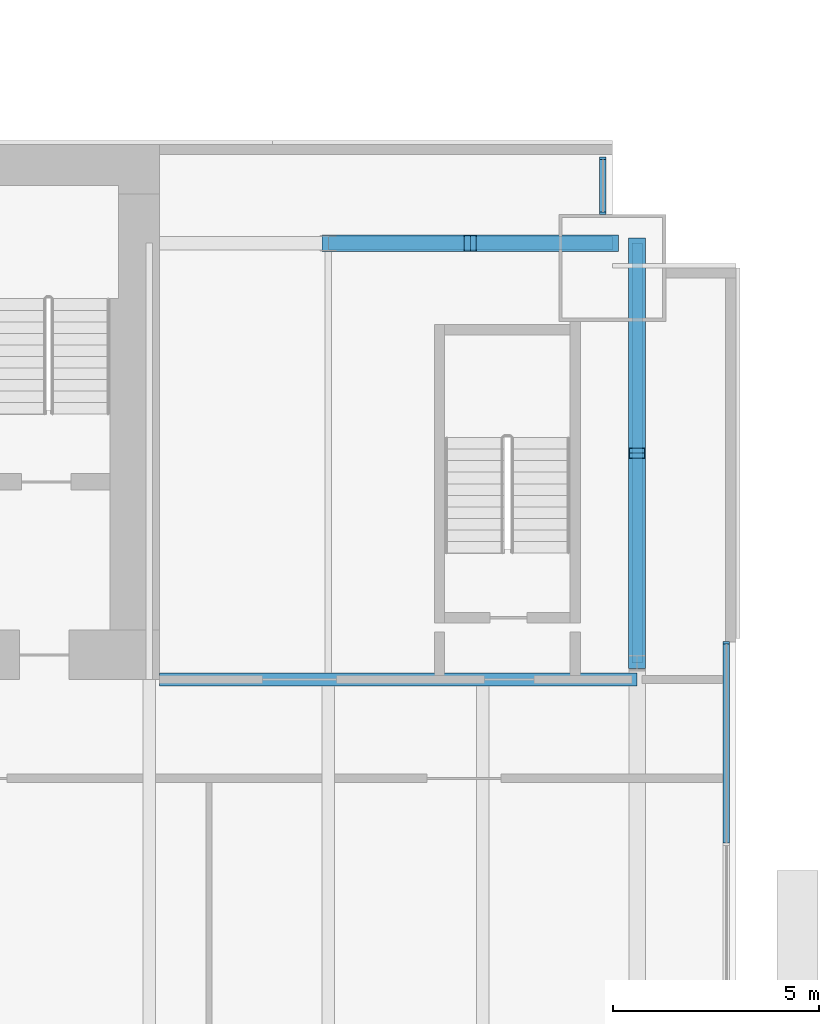
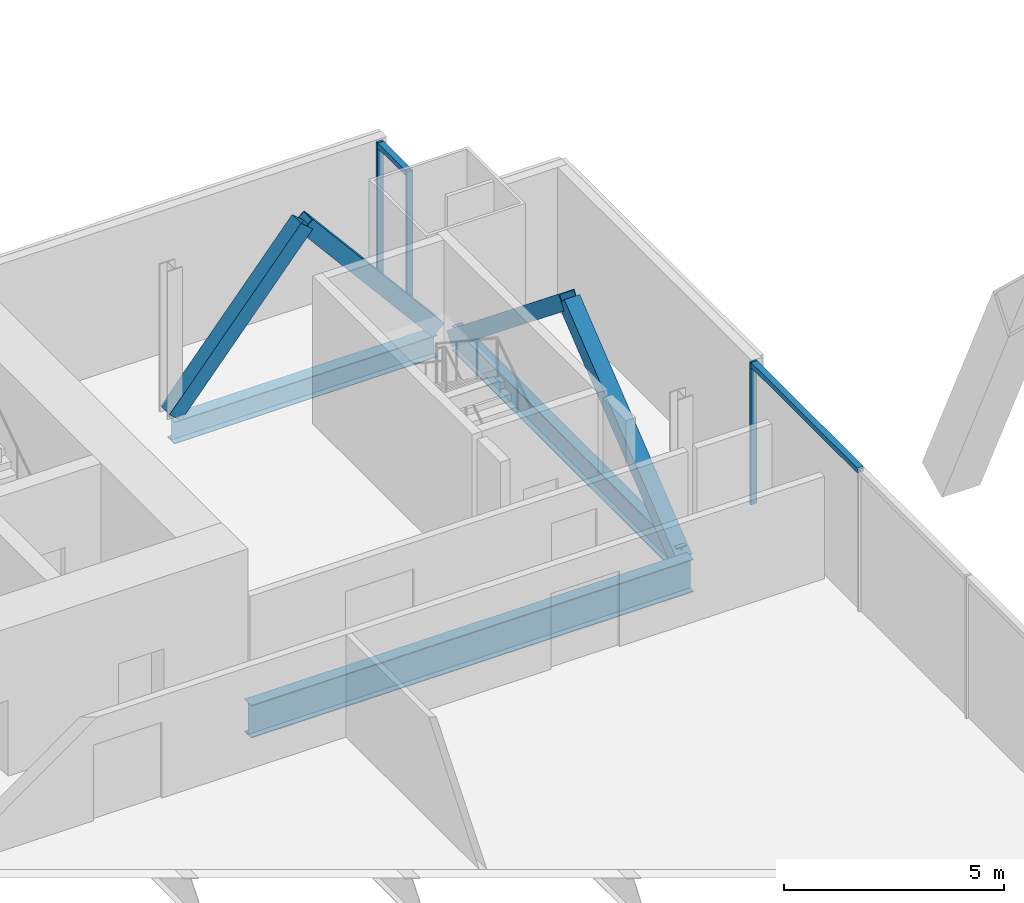
# One storey, part 16 of 24: 9 members, 3 beams, 2 elements without a shape of their own.
"""IFC4 building model written with IfcOpenShell, lengths in metres."""

from ifc_helpers import new_model, si_unit, direction, frame, origin, origin_2d, place, context, subcontext, project, spatial, rectangle, hollow_rectangle, i_section, extrude, material, material_profile, profile_set, type_object, element, aggregate, save


model = new_model("IFC4")

# Units and contexts
model_context = context("Model", 3, precision=1e-05, world=origin(), true_north=direction((0.0, 1.0)))
body_context = subcontext(model_context, "Body", "Model", "MODEL_VIEW")
ifc_project = project(units=[si_unit("LENGTHUNIT", "METRE"), si_unit("AREAUNIT", "SQUARE_METRE"), si_unit("VOLUMEUNIT", "CUBIC_METRE"), si_unit("PLANEANGLEUNIT", "RADIAN"), si_unit("MASSUNIT", "GRAM", prefix="KILO")], contexts=[model_context])

# Site, building, storey
site_placement = place(None, origin())
site = spatial("IfcSite", under=ifc_project, at=site_placement, CompositionType="ELEMENT")
building_placement = place(site_placement, origin())
building = spatial("IfcBuilding", under=site, at=building_placement, Name="Bicima Exchange Tower", CompositionType="ELEMENT")
storey_placement = place(building_placement, frame((0.0, 0.0, 160.89990234375)))
storey = spatial("IfcBuildingStorey", under=building, at=storey_placement, Name="L35", CompositionType="ELEMENT", Elevation=160.89990234375)

# Beam
ifc_material_1 = material(Name="Steel ASTM A992 Gr 50", Category="steel")
ifc_material_profile_1 = material_profile(ifc_material_1, i_section(OverallWidth=0.3046875, OverallDepth=0.911865234375, WebThickness=0.015869140625, FlangeThickness=0.02392578125, at=origin_2d()))
ifc_profile_set_1 = profile_set([ifc_material_profile_1], Name="Steel ASTM A992 Gr 50")
beam_type_1 = type_object("IfcBeamType", Name="Core-line girder W36x150", PredefinedType="BEAM", material=ifc_profile_set_1)
beam_1_placement = place(storey_placement, frame((22.0, -13.0, -0.605712890625), z_axis=(1.0, 0.0, 0.0), x_axis=(0.0, 1.0, 0.0)))
element("IfcBeam", 1, at=beam_1_placement, inside=storey, type_object=beam_type_1, Name="Core-line girder", PredefinedType="BEAM", context=body_context, shape_type="SweptSolid", body=[
    extrude(i_section(OverallWidth=0.3046875, OverallDepth=0.911865234375, WebThickness=0.015869140625, FlangeThickness=0.02392578125, at=origin_2d()), origin(), (0.0, 0.0, 1.0), 11.60009765625),
])

# Curtain wall, members
ifc_material_2 = material(Name="Anodised bronze aluminium", Category="aluminium")
curtain_wall_type_1 = type_object("IfcCurtainWallType", Name="End face glass wall", PredefinedType="NOTDEFINED", material=ifc_material_2)
curtain_wall_1_placement = place(storey_placement, origin())
curtain_wall_1 = element("IfcCurtainWall", 2, at=curtain_wall_1_placement, inside=storey, type_object=curtain_wall_type_1, Name="End face glass wall L35 run 19", PredefinedType="NOTDEFINED")
ifc_material_profile_2 = material_profile(ifc_material_2, rectangle(XDim=0.159912109375, YDim=0.06005859375, at=origin_2d()))
ifc_profile_set_2 = profile_set([ifc_material_profile_2], Name="Anodised bronze aluminium")
member_type_1 = type_object("IfcMemberType", Name="End face glass wall mullion 60 x 160", PredefinedType="MULLION", material=ifc_profile_set_2)
member_1_placement = place(storey_placement, frame((35.77001953125, -12.110107421875, 0.0), z_axis=(0.0, 0.0, 1.0), x_axis=(-1.0, 0.0, 0.0)))
member_1 = element("IfcMember", 3, at=member_1_placement, type_object=member_type_1, Name="End face glass wall mullion 5", PredefinedType="MULLION", context=body_context, shape_type="SweptSolid", body=[
    extrude(rectangle(XDim=0.159912109375, YDim=0.06005859375, at=origin_2d()), origin(), (0.0, 0.0, 1.0), 3.9501953125),
])
ifc_material_profile_3 = material_profile(ifc_material_2, rectangle(XDim=0.159912109375, YDim=0.139892578125, at=origin_2d()))
ifc_profile_set_3 = profile_set([ifc_material_profile_3], Name="Anodised bronze aluminium")
member_type_2 = type_object("IfcMemberType", Name="End face glass wall transom 140 x 160", PredefinedType="USERDEFINED", material=ifc_profile_set_3)
member_2_placement = place(storey_placement, frame((35.77001953125, -16.968505859375, 3.880126953125), z_axis=(0.0, 1.0, 0.0), x_axis=(-1.0, 0.0, 0.0)))
member_2 = element("IfcMember", 4, at=member_2_placement, type_object=member_type_2, Name="End face glass wall transom 4.1", ObjectType="TRANSOM", PredefinedType="USERDEFINED", context=body_context, shape_type="SweptSolid", body=[
    extrude(rectangle(XDim=0.159912109375, YDim=0.139892578125, at=origin_2d()), origin(), (0.0, 0.0, 1.0), 4.82861328125),
])
aggregate(curtain_wall_1, [member_1, member_2])

# Beam
ifc_material_profile_4 = material_profile(ifc_material_1, i_section(OverallWidth=0.256591796875, OverallDepth=0.693359375, WebThickness=0.014404296875, FlangeThickness=0.023681640625, at=origin_2d()))
ifc_profile_set_4 = profile_set([ifc_material_profile_4], Name="Steel ASTM A992 Gr 50")
beam_type_2 = type_object("IfcBeamType", Name="End girder W27x114", PredefinedType="BEAM", material=ifc_profile_set_4)
beam_2_placement = place(storey_placement, frame((33.60009765625, -2.39990234375, -0.49658203125), z_axis=(0.0, -1.0, 0.0), x_axis=(1.0, 0.0, 0.0)))
element("IfcBeam", 5, at=beam_2_placement, inside=storey, type_object=beam_type_2, Name="End girder", PredefinedType="BEAM", context=body_context, shape_type="SweptSolid", body=[
    extrude(i_section(OverallWidth=0.256591796875, OverallDepth=0.693359375, WebThickness=0.014404296875, FlangeThickness=0.023681640625, at=origin_2d()), origin(), (0.0, 0.0, 1.0), 10.2001953125),
])

# Curtain wall, members
curtain_wall_type_2 = type_object("IfcCurtainWallType", Name="Front glass wall", PredefinedType="NOTDEFINED", material=ifc_material_2)
curtain_wall_2_placement = place(storey_placement, origin())
curtain_wall_2 = element("IfcCurtainWall", 6, at=curtain_wall_2_placement, inside=storey, type_object=curtain_wall_type_2, Name="Front glass wall L35 run 20", PredefinedType="NOTDEFINED")
member_type_3 = type_object("IfcMemberType", Name="Front glass wall mullion 60 x 160", PredefinedType="MULLION", material=ifc_profile_set_2)
member_3_placement = place(storey_placement, frame((32.77001953125, -1.669921875, 0.0), z_axis=(0.0, 0.0, 1.0), x_axis=(-1.0, 0.0, 0.0)))
member_3 = element("IfcMember", 7, at=member_3_placement, type_object=member_type_3, Name="Front glass wall mullion 1", PredefinedType="MULLION", context=body_context, shape_type="SweptSolid", body=[
    extrude(rectangle(XDim=0.159912109375, YDim=0.06005859375, at=origin_2d()), origin(), (0.0, 0.0, 1.0), 3.9501953125),
])
member_4_placement = place(storey_placement, frame((32.77001953125, -0.340087890625, 0.0), z_axis=(0.0, 0.0, 1.0), x_axis=(-1.0, 0.0, 0.0)))
member_4 = element("IfcMember", 8, at=member_4_placement, type_object=member_type_3, Name="Front glass wall mullion 2", PredefinedType="MULLION", context=body_context, shape_type="SweptSolid", body=[
    extrude(rectangle(XDim=0.159912109375, YDim=0.06005859375, at=origin_2d()), origin(), (0.0, 0.0, 1.0), 3.9501953125),
])
member_type_4 = type_object("IfcMemberType", Name="Front glass wall transom 140 x 160", PredefinedType="USERDEFINED", material=ifc_profile_set_3)
member_5_placement = place(storey_placement, frame((32.77001953125, -1.639892578125, 3.880126953125), z_axis=(0.0, 1.0, 0.0), x_axis=(-1.0, 0.0, 0.0)))
member_5 = element("IfcMember", 9, at=member_5_placement, type_object=member_type_4, Name="Front glass wall transom 1.1", ObjectType="TRANSOM", PredefinedType="USERDEFINED", context=body_context, shape_type="SweptSolid", body=[
    extrude(rectangle(XDim=0.159912109375, YDim=0.139892578125, at=origin_2d()), origin(), (0.0, 0.0, 1.0), 1.269775390625),
])
aggregate(curtain_wall_2, [member_3, member_4, member_5])

# Members
ifc_material_3 = material(Name="Steel ASTM A572 Gr 50", Category="steel")
ifc_material_profile_5 = material_profile(ifc_material_3, hollow_rectangle(XDim=0.406494140625, YDim=0.406494140625, WallThickness=0.017822265625, at=origin_2d()))
ifc_profile_set_5 = profile_set([ifc_material_profile_5], Name="Steel ASTM A572 Gr 50")
member_type_5 = type_object("IfcMemberType", Name="Mega brace HSS16x16x3/4", PredefinedType="BRACE", material=ifc_profile_set_5)
for number, where, z_axis, x_axis, name in (
    (10, (26.10009765625, -2.39990234375, 0.0), (0.643834042494, 0.0, 0.765165162384), (0.0, 1.0, 0.0), "Mega brace rear"),
    (11, (33.0, -2.39990234375, 0.0), (-0.643834042494, 0.0, 0.765165162384), (0.0, -1.0, 0.0), "Mega brace rear"),
):
    element("IfcMember", number, at=place(storey_placement, frame(where, z_axis=z_axis, x_axis=x_axis)), inside=storey, type_object=member_type_5, Name=name, PredefinedType="BRACE", context=body_context, shape_type="SweptSolid", body=[
        extrude(hollow_rectangle(XDim=0.406494140625, YDim=0.406494140625, WallThickness=0.017822265625, at=origin_2d()), origin(), (0.0, 0.0, 1.0), 5.3583984375),
    ])
for number, where, z_axis, x_axis, name in (
    (12, (33.60009765625, -2.39990234375, -0.49658203125), (0.0, -0.779374241895, 0.626558689247), (1.0, 0.0, 0.0), "Mega brace east end"),
    (13, (33.60009765625, -12.60009765625, -0.49658203125), (0.0, 0.779374241895, 0.626558689247), (-1.0, 0.0, 0.0), "Mega brace east end"),
):
    element("IfcMember", number, at=place(storey_placement, frame(where, z_axis=z_axis, x_axis=x_axis)), inside=storey, type_object=member_type_5, Name=name, PredefinedType="BRACE", context=body_context, shape_type="SweptSolid", body=[
        extrude(hollow_rectangle(XDim=0.406494140625, YDim=0.406494140625, WallThickness=0.017822265625, at=origin_2d()), origin(), (0.0, 0.0, 1.0), 6.5439453125),
    ])

# Beam
ifc_material_profile_6 = material_profile(ifc_material_1, i_section(OverallWidth=0.3251953125, OverallDepth=0.612060546875, WebThickness=0.0126953125, FlangeThickness=0.01904296875, at=origin_2d()))
ifc_profile_set_6 = profile_set([ifc_material_profile_6], Name="Steel ASTM A992 Gr 50")
beam_type_3 = type_object("IfcBeamType", Name="Rear girder W24x104", PredefinedType="BEAM", material=ifc_profile_set_6)
beam_3_placement = place(storey_placement, frame((26.10009765625, -2.39990234375, -0.4560546875), z_axis=(1.0, 0.0, 0.0), x_axis=(0.0, 1.0, 0.0)))
element("IfcBeam", 14, at=beam_3_placement, inside=storey, type_object=beam_type_3, Name="Rear girder", PredefinedType="BEAM", context=body_context, shape_type="SweptSolid", body=[
    extrude(i_section(OverallWidth=0.3251953125, OverallDepth=0.612060546875, WebThickness=0.0126953125, FlangeThickness=0.01904296875, at=origin_2d()), origin(), (0.0, 0.0, 1.0), 6.89990234375),
])

save(model, "model.ifc")
